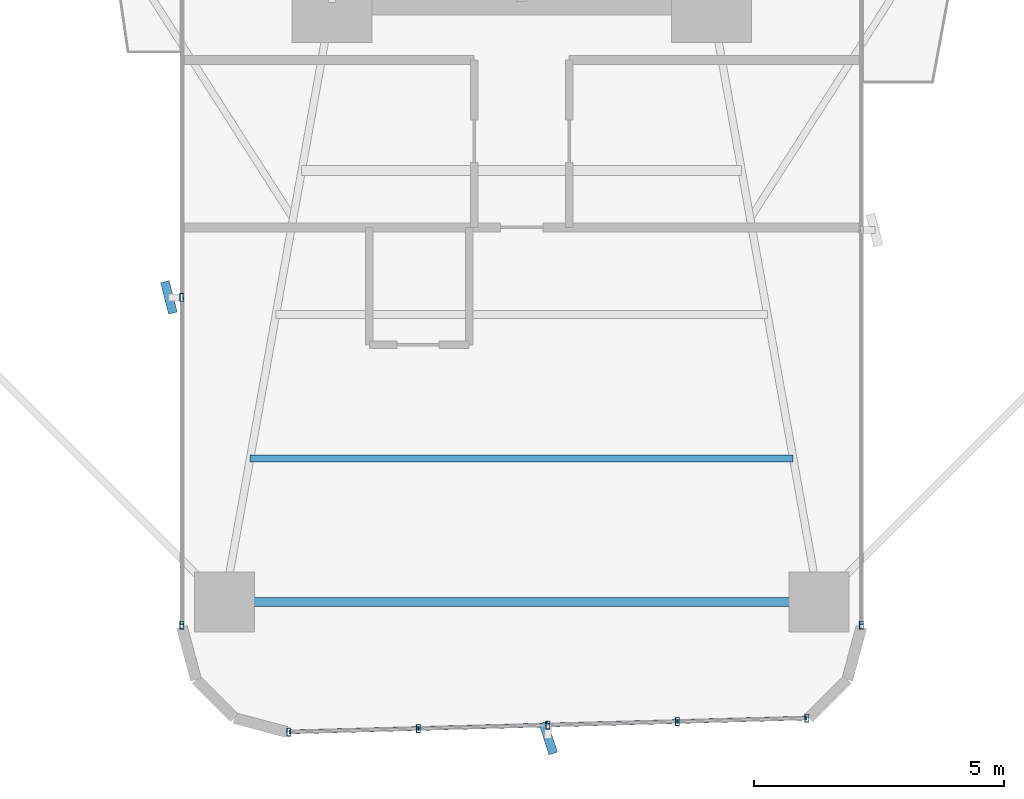
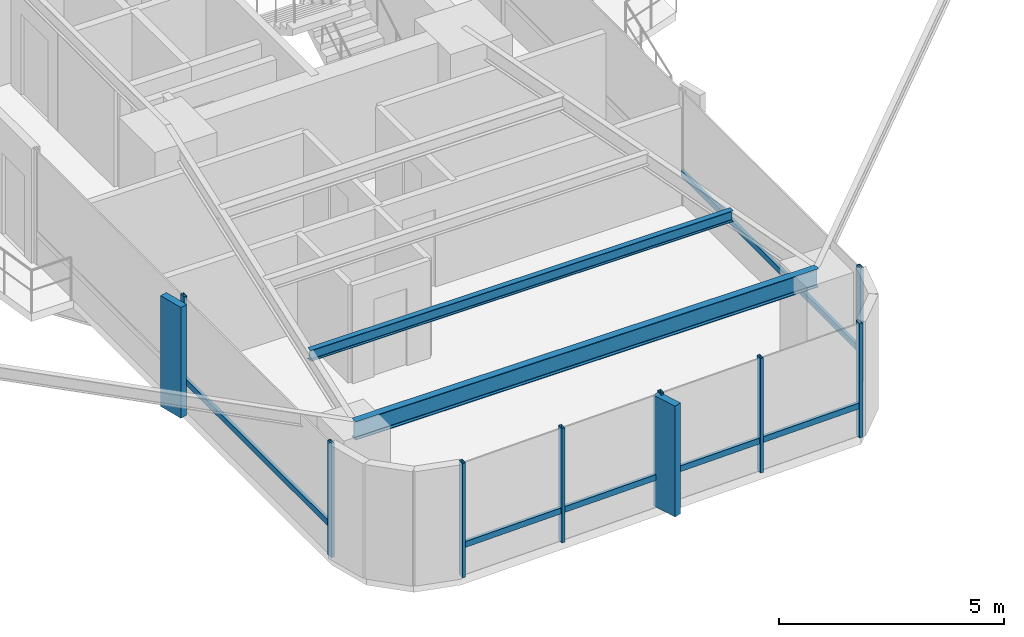
# One storey, part 2 of 26: 16 members, 2 beams, 3 elements without a shape of their own.
"""IFC4 building model written with IfcOpenShell, lengths in metres."""

from ifc_helpers import new_model, si_unit, direction, frame, origin, origin_2d, place, context, subcontext, project, spatial, rectangle, hollow_rectangle, i_section, extrude, source, transform, mapped, material, material_profile, profile_set, type_object, element, aggregate, save


model = new_model("IFC4")

# Units and contexts
model_context = context("Model", 3, precision=1e-05, world=origin(), true_north=direction((0.0, 1.0)))
body_context = subcontext(model_context, "Body", "Model", "MODEL_VIEW")
ifc_project = project(units=[si_unit("LENGTHUNIT", "METRE"), si_unit("AREAUNIT", "SQUARE_METRE"), si_unit("VOLUMEUNIT", "CUBIC_METRE"), si_unit("PLANEANGLEUNIT", "RADIAN"), si_unit("MASSUNIT", "GRAM", prefix="KILO")], contexts=[model_context])

# Site, building, storey
site_placement = place(None, origin())
site = spatial("IfcSite", under=ifc_project, at=site_placement, CompositionType="ELEMENT")
building_placement = place(site_placement, origin())
building = spatial("IfcBuilding", under=site, at=building_placement, Name="Sahyath Konkavel Grand Hotel", CompositionType="ELEMENT")
storey_placement = place(building_placement, frame((0.0, 0.0, 51.050048828125)))
storey = spatial("IfcBuildingStorey", under=building, at=storey_placement, Name="L13", CompositionType="ELEMENT", Elevation=51.050048828125)

# Beams
ifc_material_1 = material(Name="Steel E350", Category="steel")
ifc_material_profile_1 = material_profile(ifc_material_1, i_section(OverallWidth=0.179931640625, OverallDepth=0.5, WebThickness=0.01025390625, FlangeThickness=0.01708984375, FilletRadius=0.01708984375, at=origin_2d()), Name="ISMB 500")
ifc_profile_set_1 = profile_set([ifc_material_profile_1], Name="Steel E350")
beam_type_1 = type_object("IfcBeamType", Name="BM-ISMB500", PredefinedType="BEAM", material=ifc_profile_set_1)
shared_shape_1 = source(origin(), body_context, "Body", "SweptSolid", [
    extrude(i_section(OverallWidth=0.179931640625, OverallDepth=0.5, WebThickness=0.01025390625, FlangeThickness=0.01708984375, FilletRadius=0.01708984375, at=origin_2d()), origin(), (0.0, 0.0, 1.0), 11.89990234375),
])
beam_1_placement = place(storey_placement, frame((-5.949951171875, -22.199951171875, 2.85986328125), z_axis=(1.0, 0.0, 0.0), x_axis=(0.0, 1.0, 0.0)))
element("IfcBeam", 1, at=beam_1_placement, inside=storey, type_object=beam_type_1, Name="L13 Wing Tip Edge Beam S", PredefinedType="BEAM", context=body_context, shape_type="MappedRepresentation", body=[
    mapped(shared_shape_1, transform((0.0, 0.0, 0.0), scale=1.0)),
])
ifc_material_profile_2 = material_profile(ifc_material_1, i_section(OverallWidth=0.139892578125, OverallDepth=0.300048828125, WebThickness=0.0078125, FlangeThickness=0.01318359375, FilletRadius=0.013916015625, at=origin_2d()), Name="ISMB 300")
ifc_profile_set_2 = profile_set([ifc_material_profile_2], Name="Steel E350")
beam_type_2 = type_object("IfcBeamType", Name="BM-ISMB300", PredefinedType="BEAM", material=ifc_profile_set_2)
shared_shape_2 = source(origin(), body_context, "Body", "SweptSolid", [
    extrude(i_section(OverallWidth=0.139892578125, OverallDepth=0.300048828125, WebThickness=0.0078125, FlangeThickness=0.01318359375, FilletRadius=0.013916015625, at=origin_2d()), origin(), (0.0, 0.0, 1.0), 10.8681640625),
])
beam_2_placement = place(storey_placement, frame((-5.43408203125, -19.320068359375, 2.9599609375), z_axis=(1.0, 0.0, 0.0), x_axis=(0.0, 1.0, 0.0)))
element("IfcBeam", 2, at=beam_2_placement, inside=storey, type_object=beam_type_2, Name="L13 Secondary Floor Beam S-3", PredefinedType="BEAM", context=body_context, shape_type="MappedRepresentation", body=[
    mapped(shared_shape_2, transform((0.0, 0.0, 0.0), scale=1.0)),
])

# Curtain wall, members
ifc_material_2 = material(Name="Anodised Bronze Aluminium & Low-E Glazing", Category="aluminium")
curtain_wall_type = type_object("IfcCurtainWallType", Name="CW-ZONE1", PredefinedType="NOTDEFINED", material=ifc_material_2)
curtain_wall_1_placement = place(storey_placement, origin())
curtain_wall_1 = element("IfcCurtainWall", 3, at=curtain_wall_1_placement, inside=storey, type_object=curtain_wall_type, Name="L13 Unitised Curtain Wall F24", PredefinedType="NOTDEFINED")
ifc_material_3 = material(Name="Anodised Bronze Aluminium", Category="aluminium")
ifc_material_profile_3 = material_profile(ifc_material_3, hollow_rectangle(XDim=0.080078125, YDim=0.159912109375, WallThickness=0.006103515625, at=origin_2d()), Name="RHS 160x80x6")
ifc_profile_set_3 = profile_set([ifc_material_profile_3], Name="Anodised Bronze Aluminium")
member_type_1 = type_object("IfcMemberType", Name="CW-MUL-160", PredefinedType="MULLION", material=ifc_profile_set_3)
shared_shape_3 = source(origin(), body_context, "Body", "SweptSolid", [
    extrude(hollow_rectangle(XDim=0.080078125, YDim=0.159912109375, WallThickness=0.006103515625, at=origin_2d()), origin(), (0.0, 0.0, 1.0), 3.10986328125),
])
member_1_placement = place(storey_placement, frame((-6.800048828125, -16.10009765625, 0.0), z_axis=(0.0, 0.0, 1.0), x_axis=(1.0, 0.0, 0.0)))
member_1 = element("IfcMember", 4, at=member_1_placement, type_object=member_type_1, Name="L13 Curtain Wall Mullion F24-1", PredefinedType="MULLION", context=body_context, shape_type="MappedRepresentation", body=[
    mapped(shared_shape_3, transform((0.0, 0.0, 0.0), scale=1.0)),
])
member_2_placement = place(storey_placement, frame((-6.800048828125, -22.659912109375, 0.0), z_axis=(0.0, 0.0, 1.0), x_axis=(1.0, 0.0, 0.0)))
member_2 = element("IfcMember", 5, at=member_2_placement, type_object=member_type_1, Name="L13 Curtain Wall Mullion F24-2", PredefinedType="MULLION", context=body_context, shape_type="MappedRepresentation", body=[
    mapped(shared_shape_3, transform((0.0, 0.0, 0.0), scale=1.0)),
])

curtain_wall_2_placement = place(storey_placement, origin())
curtain_wall_2 = element("IfcCurtainWall", 6, at=curtain_wall_2_placement, inside=storey, type_object=curtain_wall_type, Name="L13 Unitised Curtain Wall F28", PredefinedType="NOTDEFINED")
member_3_placement = place(storey_placement, frame((-4.659912109375, -24.798828125, 0.0), z_axis=(0.0, 0.0, 1.0), x_axis=(1.0, 0.0, 0.0)))
member_3 = element("IfcMember", 7, at=member_3_placement, type_object=member_type_1, Name="L13 Curtain Wall Mullion F28-0", PredefinedType="MULLION", context=body_context, shape_type="MappedRepresentation", body=[
    mapped(shared_shape_3, transform((0.0, 0.0, 0.0), scale=1.0)),
])
member_4_placement = place(storey_placement, frame((-2.0673828125, -24.72900390625, 0.0), z_axis=(0.0, 0.0, 1.0), x_axis=(1.0, 0.0, 0.0)))
member_4 = element("IfcMember", 8, at=member_4_placement, type_object=member_type_1, Name="L13 Curtain Wall Mullion F28-1", PredefinedType="MULLION", context=body_context, shape_type="MappedRepresentation", body=[
    mapped(shared_shape_3, transform((0.0, 0.0, 0.0), scale=1.0)),
])
member_5_placement = place(storey_placement, frame((0.52490234375, -24.6591796875, 0.0), z_axis=(0.0, 0.0, 1.0), x_axis=(1.0, 0.0, 0.0)))
member_5 = element("IfcMember", 9, at=member_5_placement, type_object=member_type_1, Name="L13 Curtain Wall Mullion F28-2", PredefinedType="MULLION", context=body_context, shape_type="MappedRepresentation", body=[
    mapped(shared_shape_3, transform((0.0, 0.0, 0.0), scale=1.0)),
])
member_6_placement = place(storey_placement, frame((3.117431640625, -24.589599609375, 0.0), z_axis=(0.0, 0.0, 1.0), x_axis=(1.0, 0.0, 0.0)))
member_6 = element("IfcMember", 10, at=member_6_placement, type_object=member_type_1, Name="L13 Curtain Wall Mullion F28-3", PredefinedType="MULLION", context=body_context, shape_type="MappedRepresentation", body=[
    mapped(shared_shape_3, transform((0.0, 0.0, 0.0), scale=1.0)),
])
member_7_placement = place(storey_placement, frame((5.7099609375, -24.519775390625, 0.0), z_axis=(0.0, 0.0, 1.0), x_axis=(1.0, 0.0, 0.0)))
member_7 = element("IfcMember", 11, at=member_7_placement, type_object=member_type_1, Name="L13 Curtain Wall Mullion F28-4", PredefinedType="MULLION", context=body_context, shape_type="MappedRepresentation", body=[
    mapped(shared_shape_3, transform((0.0, 0.0, 0.0), scale=1.0)),
])

# Curtain wall, member
curtain_wall_3_placement = place(storey_placement, origin())
curtain_wall_3 = element("IfcCurtainWall", 12, at=curtain_wall_3_placement, inside=storey, type_object=curtain_wall_type, Name="L13 Unitised Curtain Wall F31", PredefinedType="NOTDEFINED")
member_8_placement = place(storey_placement, frame((6.800048828125, -22.659912109375, 0.0), z_axis=(0.0, 0.0, 1.0), x_axis=(1.0, 0.0, 0.0)))
member_8 = element("IfcMember", 13, at=member_8_placement, type_object=member_type_1, Name="L13 Curtain Wall Mullion F31-0", PredefinedType="MULLION", context=body_context, shape_type="MappedRepresentation", body=[
    mapped(shared_shape_3, transform((0.0, 0.0, 0.0), scale=1.0)),
])

# Member
ifc_material_4 = material(Name="Warm Buff Sandstone Cladding on Concrete C50/60", Category="masonry")
ifc_material_profile_4 = material_profile(ifc_material_4, rectangle(XDim=0.179931640625, YDim=0.64990234375, at=origin_2d()), Name="FIN 180x650")
ifc_profile_set_4 = profile_set([ifc_material_profile_4], Name="Warm Buff Sandstone Cladding on Concrete C50/60")
member_type_2 = type_object("IfcMemberType", Name="FIN-SANDSTONE-650", PredefinedType="MULLION", material=ifc_profile_set_4)
shared_shape_4 = source(origin(), body_context, "Body", "SweptSolid", [
    extrude(rectangle(XDim=0.179931640625, YDim=0.64990234375, at=origin_2d()), origin(), (0.0, 0.0, 1.0), 3.010009765625),
])
member_9_placement = place(storey_placement, frame((-7.06005859375, -16.10009765625, 0.050048828125), z_axis=(0.0, 0.0, 1.0), x_axis=(0.969359662404, 0.245645771192, 0.0)))
member_9 = element("IfcMember", 14, at=member_9_placement, type_object=member_type_2, Name="L13 Sandstone Vertical Solar Fin FIN F24-1", PredefinedType="MULLION", context=body_context, shape_type="MappedRepresentation", body=[
    mapped(shared_shape_4, transform((0.0, 0.0, 0.0), scale=1.0)),
])

member_10_placement = place(storey_placement, frame((0.531982421875, -24.919189453125, 0.050048828125), z_axis=(0.0, 0.0, 1.0), x_axis=(0.951808747363, 0.306692204733, 0.0)))
member_10 = element("IfcMember", 15, at=member_10_placement, type_object=member_type_2, Name="L13 Sandstone Vertical Solar Fin FIN F28-2", PredefinedType="MULLION", context=body_context, shape_type="MappedRepresentation", body=[
    mapped(shared_shape_4, transform((0.0, 0.0, 0.0), scale=1.0)),
])

ifc_material_profile_5 = material_profile(ifc_material_3, hollow_rectangle(XDim=0.080078125, YDim=0.159912109375, WallThickness=0.006103515625, at=origin_2d()), Name="RHS 160x80x6")
ifc_profile_set_5 = profile_set([ifc_material_profile_5], Name="Anodised Bronze Aluminium")
member_type_3 = type_object("IfcMemberType", Name="CW-TRN-160", PredefinedType="USERDEFINED", material=ifc_profile_set_5)
shared_shape_5 = source(origin(), body_context, "Body", "SweptSolid", [
    extrude(hollow_rectangle(XDim=0.080078125, YDim=0.159912109375, WallThickness=0.006103515625, at=origin_2d()), origin(), (0.0, 0.0, 1.0), 7.909912109375),
])
member_11_placement = place(storey_placement, frame((6.800048828125, -22.659912109375, 0.849853515625), z_axis=(0.0, 1.0, 0.0), x_axis=(-1.0, 0.0, 0.0)))
member_11 = element("IfcMember", 16, at=member_11_placement, type_object=member_type_3, Name="L13 Curtain Wall Transom F31-0-spandrel", ObjectType="TRANSOM", PredefinedType="USERDEFINED", context=body_context, shape_type="MappedRepresentation", body=[
    mapped(shared_shape_5, transform((0.0, 0.0, 0.0), scale=1.0)),
])

aggregate(curtain_wall_3, [member_8, member_11])

shared_shape_6 = source(origin(), body_context, "Body", "SweptSolid", [
    extrude(hollow_rectangle(XDim=0.080078125, YDim=0.159912109375, WallThickness=0.006103515625, at=origin_2d()), origin(), (0.0, 0.0, 1.0), 2.593505859375),
])
member_12_placement = place(storey_placement, frame((-4.659912109375, -24.798828125, 0.849853515625), z_axis=(0.999637507825, 0.026923093252, 0.0), x_axis=(-0.026923093252, 0.999637507825, 0.0)))
member_12 = element("IfcMember", 17, at=member_12_placement, type_object=member_type_3, Name="L13 Curtain Wall Transom F28-0-spandrel", ObjectType="TRANSOM", PredefinedType="USERDEFINED", context=body_context, shape_type="MappedRepresentation", body=[
    mapped(shared_shape_6, transform((0.0, 0.0, 0.0), scale=1.0)),
])

member_13_placement = place(storey_placement, frame((0.52490234375, -24.6591796875, 0.849853515625), z_axis=(0.999640036937, 0.02682902444, 0.0), x_axis=(-0.02682902444, 0.999640036937, 0.0)))
member_13 = element("IfcMember", 18, at=member_13_placement, type_object=member_type_3, Name="L13 Curtain Wall Transom F28-2-spandrel", ObjectType="TRANSOM", PredefinedType="USERDEFINED", context=body_context, shape_type="MappedRepresentation", body=[
    mapped(shared_shape_6, transform((0.0, 0.0, 0.0), scale=1.0)),
])

member_14_placement = place(storey_placement, frame((3.117431640625, -24.589599609375, 0.849853515625), z_axis=(0.999637507825, 0.026923093252, 0.0), x_axis=(-0.026923093252, 0.999637507825, 0.0)))
member_14 = element("IfcMember", 19, at=member_14_placement, type_object=member_type_3, Name="L13 Curtain Wall Transom F28-3-spandrel", ObjectType="TRANSOM", PredefinedType="USERDEFINED", context=body_context, shape_type="MappedRepresentation", body=[
    mapped(shared_shape_6, transform((0.0, 0.0, 0.0), scale=1.0)),
])

shared_shape_7 = source(origin(), body_context, "Body", "SweptSolid", [
    extrude(hollow_rectangle(XDim=0.080078125, YDim=0.159912109375, WallThickness=0.006103515625, at=origin_2d()), origin(), (0.0, 0.0, 1.0), 2.59326171875),
])
member_15_placement = place(storey_placement, frame((-2.0673828125, -24.72900390625, 0.849853515625), z_axis=(0.99963743958, 0.026925627022, 0.0), x_axis=(-0.026925627022, 0.99963743958, 0.0)))
member_15 = element("IfcMember", 20, at=member_15_placement, type_object=member_type_3, Name="L13 Curtain Wall Transom F28-1-spandrel", ObjectType="TRANSOM", PredefinedType="USERDEFINED", context=body_context, shape_type="MappedRepresentation", body=[
    mapped(shared_shape_7, transform((0.0, 0.0, 0.0), scale=1.0)),
])

aggregate(curtain_wall_2, [member_3, member_4, member_5, member_10, member_6, member_7, member_12, member_15, member_13, member_14])

shared_shape_8 = source(origin(), body_context, "Body", "SweptSolid", [
    extrude(hollow_rectangle(XDim=0.080078125, YDim=0.159912109375, WallThickness=0.006103515625, at=origin_2d()), origin(), (0.0, 0.0, 1.0), 6.559814453125),
])
member_16_placement = place(storey_placement, frame((-6.800048828125, -16.10009765625, 0.849853515625), z_axis=(0.0, -1.0, 0.0), x_axis=(1.0, 0.0, 0.0)))
member_16 = element("IfcMember", 21, at=member_16_placement, type_object=member_type_3, Name="L13 Curtain Wall Transom F24-1-spandrel", ObjectType="TRANSOM", PredefinedType="USERDEFINED", context=body_context, shape_type="MappedRepresentation", body=[
    mapped(shared_shape_8, transform((0.0, 0.0, 0.0), scale=1.0)),
])

aggregate(curtain_wall_1, [member_1, member_9, member_2, member_16])

save(model, "model.ifc")
